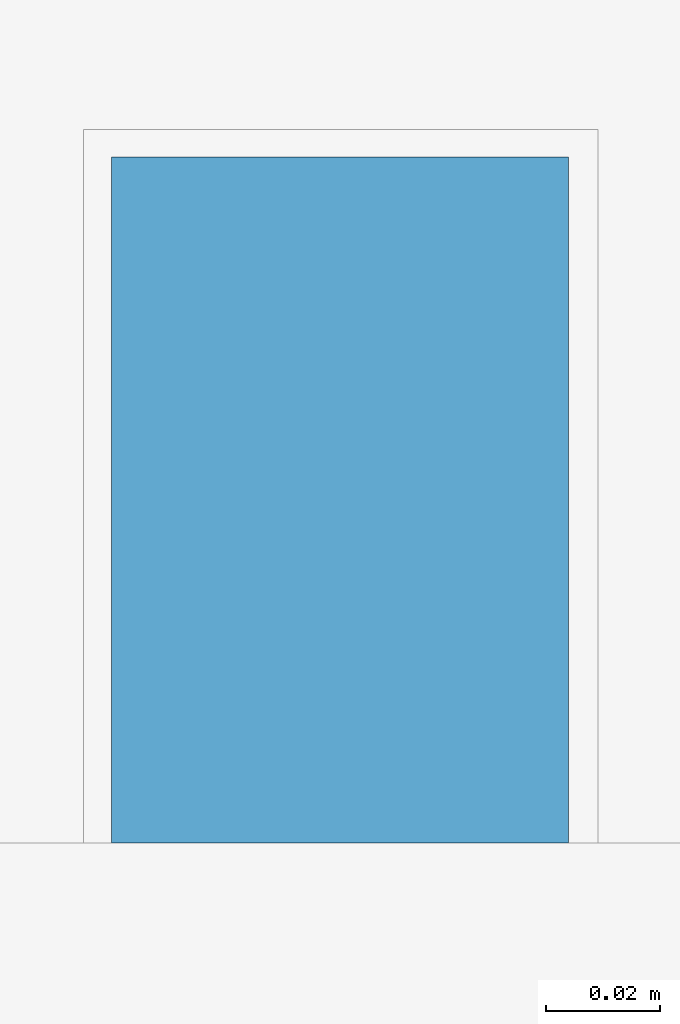
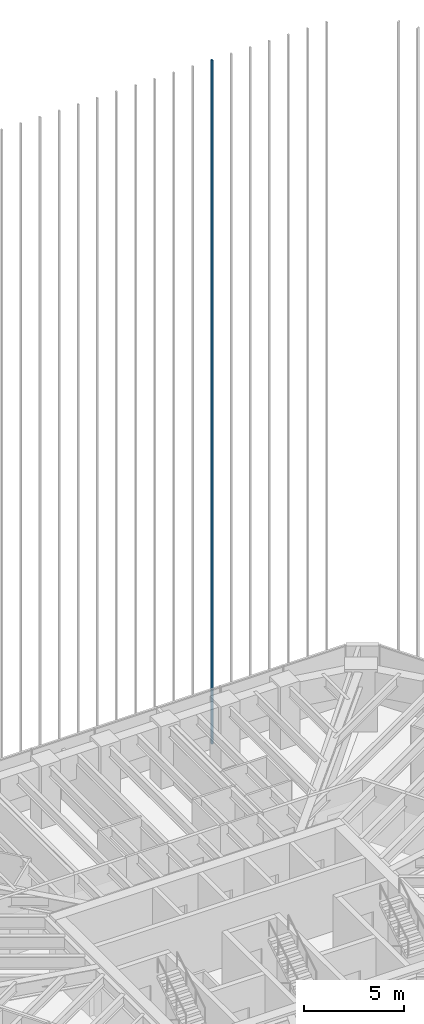
# One storey, part 99 of 127: 1 member, 1 element without a shape of its own.
"""IFC4 building model written with IfcOpenShell, lengths in metres."""

from ifc_helpers import new_model, si_unit, direction, frame, origin, origin_2d, place, context, subcontext, project, spatial, rectangle, extrude, material, material_profile, profile_set, type_object, element, aggregate, save


model = new_model("IFC4")

# Units and contexts
model_context = context("Model", 3, precision=1e-05, world=origin(), true_north=direction((0.0, 1.0)))
body_context = subcontext(model_context, "Body", "Model", "MODEL_VIEW")
ifc_project = project(units=[si_unit("LENGTHUNIT", "METRE"), si_unit("AREAUNIT", "SQUARE_METRE"), si_unit("VOLUMEUNIT", "CUBIC_METRE"), si_unit("PLANEANGLEUNIT", "RADIAN"), si_unit("MASSUNIT", "GRAM", prefix="KILO")], contexts=[model_context])

# Site, building, storey
site_placement = place(None, origin())
site = spatial("IfcSite", under=ifc_project, at=site_placement, CompositionType="ELEMENT")
building_placement = place(site_placement, origin())
building = spatial("IfcBuilding", under=site, at=building_placement, Name="Sandreach Pilgrim Tower", CompositionType="ELEMENT")
storey_placement = place(building_placement, frame((0.0, 0.0, 257.0)))
storey = spatial("IfcBuildingStorey", under=building, at=storey_placement, Name="L64", CompositionType="ELEMENT", Elevation=257.0)

# Curtain wall, member
ifc_material_1 = material(Name="Aluminium framed curtain wall", Category="aluminium")
curtain_wall_type = type_object("IfcCurtainWallType", Name="Suite tower curtain wall", PredefinedType="NOTDEFINED", material=ifc_material_1)
curtain_wall_placement = place(storey_placement, origin())
curtain_wall = element("IfcCurtainWall", 1, at=curtain_wall_placement, inside=storey, type_object=curtain_wall_type, Name="CW-4 L64 N", PredefinedType="NOTDEFINED")
ifc_material_2 = material(Name="Extruded terracotta on aluminium core", Category="masonry")
ifc_material_profile = material_profile(ifc_material_2, rectangle(XDim=0.080078125, YDim=0.1201171875, at=origin_2d()), Name="TBN 80X120")
ifc_profile_set = profile_set([ifc_material_profile], Name="Extruded terracotta on aluminium core")
member_type = type_object("IfcMemberType", Name="Terracotta baguette north", PredefinedType="USERDEFINED", material=ifc_profile_set)
member_placement = place(storey_placement, frame((8.80322265625, 20.1865234375, 0.0), z_axis=(0.0, 0.0, 1.0), x_axis=(1.0, 0.0, 0.0)))
member = element("IfcMember", 2, at=member_placement, type_object=member_type, Name="Baguette Z4 N23", ObjectType="BAGUETTE", PredefinedType="USERDEFINED", context=body_context, shape_type="SweptSolid", body=[
    extrude(rectangle(XDim=0.080078125, YDim=0.1201171875, at=origin_2d()), origin(), (0.0, 0.0, 1.0), 41.639892578125),
])
aggregate(curtain_wall, [member])

save(model, "model.ifc")
